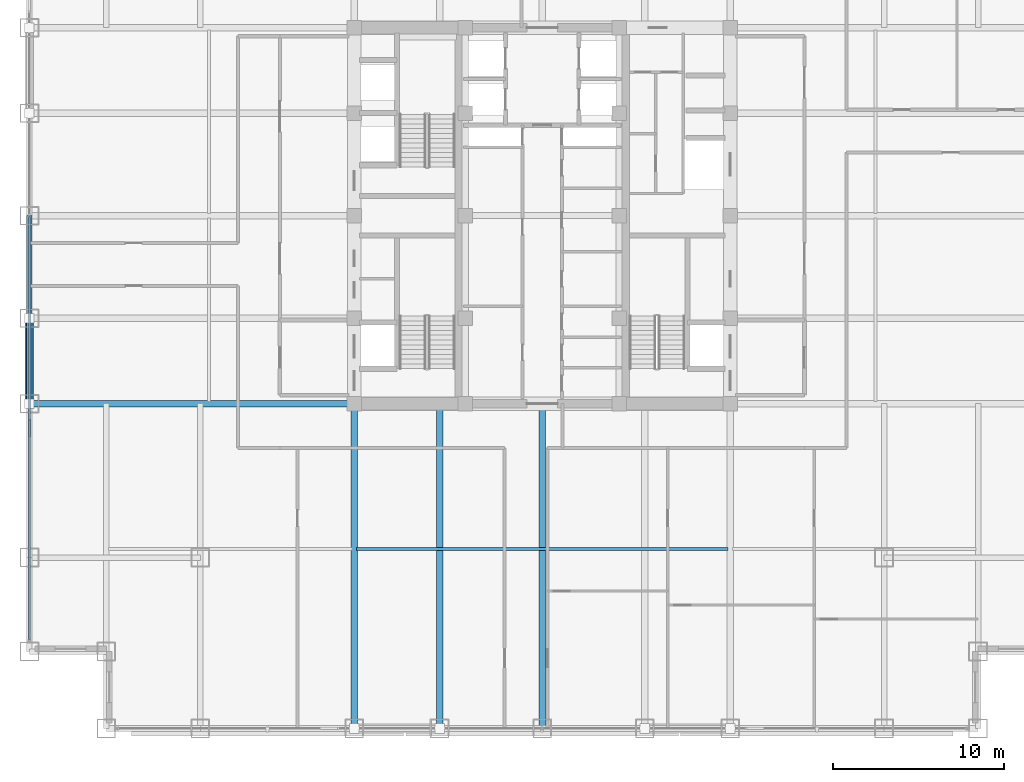
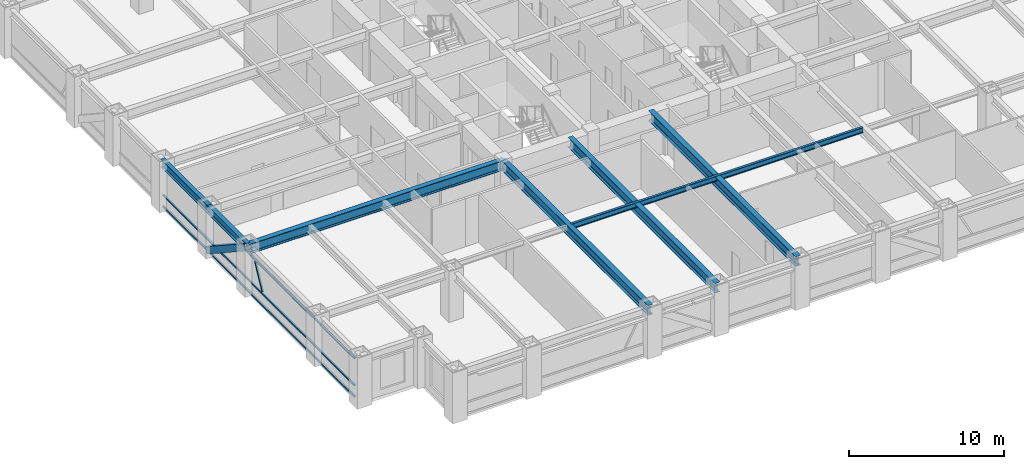
# One storey, part 5 of 28: 7 beams, 5 members, 1 element without a shape of its own.
"""IFC4 building model written with IfcOpenShell, lengths in metres."""

from ifc_helpers import new_model, si_unit, direction, frame, origin, origin_2d, place, context, subcontext, project, spatial, hollow_rectangle, i_section, extrude, source, transform, mapped, material, material_profile, profile_set, type_object, element, aggregate, save


model = new_model("IFC4")

# Units and contexts
model_context = context("Model", 3, precision=1e-05, world=origin(), true_north=direction((0.0, 1.0)))
body_context = subcontext(model_context, "Body", "Model", "MODEL_VIEW")
ifc_project = project(units=[si_unit("LENGTHUNIT", "METRE"), si_unit("AREAUNIT", "SQUARE_METRE"), si_unit("VOLUMEUNIT", "CUBIC_METRE"), si_unit("PLANEANGLEUNIT", "RADIAN"), si_unit("MASSUNIT", "GRAM", prefix="KILO")], contexts=[model_context])

# Site, building, storey
site_placement = place(None, origin())
site = spatial("IfcSite", under=ifc_project, at=site_placement, CompositionType="ELEMENT")
building_placement = place(site_placement, origin())
building = spatial("IfcBuilding", under=site, at=building_placement, Name="Khorayat Bourse Tower", CompositionType="ELEMENT")
storey_placement = place(building_placement, frame((0.0, 0.0, 183.10009765625)))
storey = spatial("IfcBuildingStorey", under=building, at=storey_placement, Name="L42", CompositionType="ELEMENT", Elevation=183.10009765625)

# Beams
ifc_material_1 = material(Name="Steel ASTM A992 Grade 50", Category="steel")
ifc_material_profile_1 = material_profile(ifc_material_1, i_section(OverallWidth=0.381103515625, OverallDepth=0.77294921875, WebThickness=0.0166015625, FlangeThickness=0.027587890625, FilletRadius=0.01806640625, at=origin_2d()), Name="W760X257")
ifc_profile_set_1 = profile_set([ifc_material_profile_1], Name="Steel ASTM A992 Grade 50")
beam_type_1 = type_object("IfcBeamType", Name="BM-GIRD-760", PredefinedType="BEAM", material=ifc_profile_set_1)
shared_shape_1 = source(origin(), body_context, "Body", "SweptSolid", [
    extrude(i_section(OverallWidth=0.381103515625, OverallDepth=0.77294921875, WebThickness=0.0166015625, FlangeThickness=0.027587890625, FilletRadius=0.01806640625, at=origin_2d()), origin(), (0.0, 0.0, 1.0), 19.0),
])
for number, where, z_axis, x_axis, name in (
    (1, (-11.0, -30.0, 3.393310546875), (0.0, 1.0, 0.0), (-1.0, 0.0, 0.0), "L42 BM-GIRD-760 BM-L42-RADY-065"),
    (2, (-6.0, -30.0, 3.393310546875), (0.0, 1.0, 0.0), (-1.0, 0.0, 0.0), "L42 BM-GIRD-760 BM-L42-RADY-067"),
    (3, (0.0, -30.0, 3.393310546875), (0.0, 1.0, 0.0), (-1.0, 0.0, 0.0), "L42 BM-GIRD-760 BM-L42-RADY-069"),
    (4, (-30.0, -11.0, 3.393310546875), (1.0, 0.0, 0.0), (0.0, 1.0, 0.0), "L42 BM-GIRD-760 BM-L42-RADX-075"),
):
    element("IfcBeam", number, at=place(storey_placement, frame(where, z_axis=z_axis, x_axis=x_axis)), inside=storey, type_object=beam_type_1, Name=name, PredefinedType="BEAM", context=body_context, shape_type="MappedRepresentation", body=[
        mapped(shared_shape_1, transform((0.0, 0.0, 0.0), scale=1.0)),
    ])
ifc_material_profile_2 = material_profile(ifc_material_1, i_section(OverallWidth=0.180908203125, OverallDepth=0.4169921875, WebThickness=0.010986328125, FlangeThickness=0.018310546875, FilletRadius=0.011962890625, at=origin_2d()), Name="W410X85")
ifc_profile_set_2 = profile_set([ifc_material_profile_2], Name="Steel ASTM A992 Grade 50")
beam_type_2 = type_object("IfcBeamType", Name="BM-JOIST-410", PredefinedType="JOIST", material=ifc_profile_set_2)
shared_shape_2 = source(origin(), body_context, "Body", "SweptSolid", [
    extrude(i_section(OverallWidth=0.180908203125, OverallDepth=0.4169921875, WebThickness=0.010986328125, FlangeThickness=0.018310546875, FilletRadius=0.011962890625, at=origin_2d()), origin(), (0.0, 0.0, 1.0), 21.740234375),
])
beam_1_placement = place(storey_placement, frame((-10.8701171875, -19.5, 3.5712890625), z_axis=(1.0, 0.0, 0.0), x_axis=(0.0, 1.0, 0.0)))
element("IfcBeam", 5, at=beam_1_placement, inside=storey, type_object=beam_type_2, Name="L42 BM-JOIST-410 BM-L42-JSTX-097", PredefinedType="JOIST", context=body_context, shape_type="MappedRepresentation", body=[
    mapped(shared_shape_2, transform((0.0, 0.0, 0.0), scale=1.0)),
])
ifc_material_profile_3 = material_profile(ifc_material_1, i_section(OverallWidth=0.324951171875, OverallDepth=0.615966796875, WebThickness=0.013916015625, FlangeThickness=0.021484375, FilletRadius=0.01611328125, at=origin_2d()), Name="W610X174")
ifc_profile_set_3 = profile_set([ifc_material_profile_3], Name="Steel ASTM A992 Grade 50")
beam_type_3 = type_object("IfcBeamType", Name="BM-SPAN-610", PredefinedType="SPANDREL", material=ifc_profile_set_3)
shared_shape_3 = source(origin(), body_context, "Body", "SweptSolid", [
    extrude(i_section(OverallWidth=0.324951171875, OverallDepth=0.615966796875, WebThickness=0.013916015625, FlangeThickness=0.021484375, FilletRadius=0.01611328125, at=origin_2d()), origin(), (0.0, 0.0, 1.0), 5.0),
])
beam_2_placement = place(storey_placement, frame((-30.0, -11.0, 3.471923828125), z_axis=(0.0, 1.0, 0.0), x_axis=(-1.0, 0.0, 0.0)))
element("IfcBeam", 6, at=beam_2_placement, inside=storey, type_object=beam_type_3, Name="L42 BM-SPAN-610 BM-L42-SPN-059", PredefinedType="SPANDREL", context=body_context, shape_type="MappedRepresentation", body=[
    mapped(shared_shape_3, transform((0.0, 0.0, 0.0), scale=1.0)),
])
shared_shape_4 = source(origin(), body_context, "Body", "SweptSolid", [
    extrude(i_section(OverallWidth=0.324951171875, OverallDepth=0.615966796875, WebThickness=0.013916015625, FlangeThickness=0.021484375, FilletRadius=0.01611328125, at=origin_2d()), origin(), (0.0, 0.0, 1.0), 6.0),
])
beam_3_placement = place(storey_placement, frame((-30.0, -6.0, 3.471923828125), z_axis=(0.0, 1.0, 0.0), x_axis=(-1.0, 0.0, 0.0)))
element("IfcBeam", 7, at=beam_3_placement, inside=storey, type_object=beam_type_3, Name="L42 BM-SPAN-610 BM-L42-SPN-058", PredefinedType="SPANDREL", context=body_context, shape_type="MappedRepresentation", body=[
    mapped(shared_shape_4, transform((0.0, 0.0, 0.0), scale=1.0)),
])

# Member
ifc_material_2 = material(Name="Steel EN 10025-4 S460M", Category="steel")
ifc_material_profile_4 = material_profile(ifc_material_2, hollow_rectangle(XDim=0.5, YDim=0.5, WallThickness=0.028076171875, at=origin_2d()), Name="HSS 500x500x28")
ifc_profile_set_4 = profile_set([ifc_material_profile_4], Name="Steel EN 10025-4 S460M")
member_type_1 = type_object("IfcMemberType", Name="MBR-TUBE-500", PredefinedType="BRACE", material=ifc_profile_set_4)
shared_shape_5 = source(origin(), body_context, "Body", "SweptSolid", [
    extrude(hollow_rectangle(XDim=0.5, YDim=0.5, WallThickness=0.028076171875, at=origin_2d()), origin(), (0.0, 0.0, 1.0), 5.979736328125),
])
member_1_placement = place(storey_placement, frame((-30.0, -11.0, 3.52978515625), z_axis=(0.0, 0.836160261256, -0.548485202623), x_axis=(-1.0, 0.0, 0.0)))
element("IfcMember", 8, at=member_1_placement, inside=storey, type_object=member_type_1, Name="L42 Perimeter Tube Brace 05", PredefinedType="BRACE", context=body_context, shape_type="MappedRepresentation", body=[
    mapped(shared_shape_5, transform((0.0, 0.0, 0.0), scale=1.0)),
])

# Curtain wall, members
ifc_material_3 = material(Name="Aluminium EN AW-6063 T6", Category="aluminium")
curtain_wall_type = type_object("IfcCurtainWallType", Name="CW-SYS-03", PredefinedType="NOTDEFINED", material=ifc_material_3)
curtain_wall_placement = place(storey_placement, origin())
curtain_wall = element("IfcCurtainWall", 9, at=curtain_wall_placement, inside=storey, type_object=curtain_wall_type, Name="L42 Curtain Wall CW-L42-W1", PredefinedType="NOTDEFINED")
ifc_material_profile_5 = material_profile(ifc_material_3, hollow_rectangle(XDim=0.1201171875, YDim=0.1201171875, WallThickness=0.0048828125, at=origin_2d()), Name="ALU 120x120x5")
ifc_profile_set_5 = profile_set([ifc_material_profile_5], Name="Aluminium EN AW-6063 T6")
member_type_2 = type_object("IfcMemberType", Name="CWM-DIAG-120", PredefinedType="MULLION", material=ifc_profile_set_5)
shared_shape_6 = source(origin(), body_context, "Body", "SweptSolid", [
    extrude(hollow_rectangle(XDim=0.1201171875, YDim=0.1201171875, WallThickness=0.0048828125, at=origin_2d()), origin(), (0.0, 0.0, 1.0), 2.079345703125),
])
member_2_placement = place(storey_placement, frame((-30.0, -12.904296875, 1.08984375), z_axis=(0.0, 0.465760949701, 0.884910581773), x_axis=(-1.0, 0.0, 0.0)))
member_2 = element("IfcMember", 10, at=member_2_placement, type_object=member_type_2, Name="CW-L42-W1 Faceted Diagonal Mullion 1", PredefinedType="MULLION", context=body_context, shape_type="MappedRepresentation", body=[
    mapped(shared_shape_6, transform((0.0, 0.0, 0.0), scale=1.0)),
])
ifc_material_profile_6 = material_profile(ifc_material_3, hollow_rectangle(XDim=0.1201171875, YDim=0.1201171875, WallThickness=0.0048828125, at=origin_2d()), Name="ALU 120x120x5")
ifc_profile_set_6 = profile_set([ifc_material_profile_6], Name="Aluminium EN AW-6063 T6")
member_type_3 = type_object("IfcMemberType", Name="CWT-HORZ-120", PredefinedType="USERDEFINED", material=ifc_profile_set_6)
shared_shape_7 = source(origin(), body_context, "Body", "SweptSolid", [
    extrude(hollow_rectangle(XDim=0.1201171875, YDim=0.1201171875, WallThickness=0.0048828125, at=origin_2d()), origin(), (0.0, 0.0, 1.0), 24.719970703125),
])
member_3_placement = place(storey_placement, frame((-30.0, -24.780029296875, 0.059814453125), z_axis=(0.0, 1.0, 0.0), x_axis=(-1.0, 0.0, 0.0)))
member_3 = element("IfcMember", 11, at=member_3_placement, type_object=member_type_3, Name="CW-L42-W1 Horizontal Transom 1-1", ObjectType="TRANSOM", PredefinedType="USERDEFINED", context=body_context, shape_type="MappedRepresentation", body=[
    mapped(shared_shape_7, transform((0.0, 0.0, 0.0), scale=1.0)),
])
member_4_placement = place(storey_placement, frame((-30.0, -24.780029296875, 0.949951171875), z_axis=(0.0, 1.0, 0.0), x_axis=(-1.0, 0.0, 0.0)))
member_4 = element("IfcMember", 12, at=member_4_placement, type_object=member_type_3, Name="CW-L42-W1 Horizontal Transom 1-2", ObjectType="TRANSOM", PredefinedType="USERDEFINED", context=body_context, shape_type="MappedRepresentation", body=[
    mapped(shared_shape_7, transform((0.0, 0.0, 0.0), scale=1.0)),
])
member_5_placement = place(storey_placement, frame((-30.0, -24.780029296875, 3.06982421875), z_axis=(0.0, 1.0, 0.0), x_axis=(-1.0, 0.0, 0.0)))
member_5 = element("IfcMember", 13, at=member_5_placement, type_object=member_type_3, Name="CW-L42-W1 Horizontal Transom 1-3", ObjectType="TRANSOM", PredefinedType="USERDEFINED", context=body_context, shape_type="MappedRepresentation", body=[
    mapped(shared_shape_7, transform((0.0, 0.0, 0.0), scale=1.0)),
])
aggregate(curtain_wall, [member_3, member_4, member_5, member_2])

save(model, "model.ifc")
